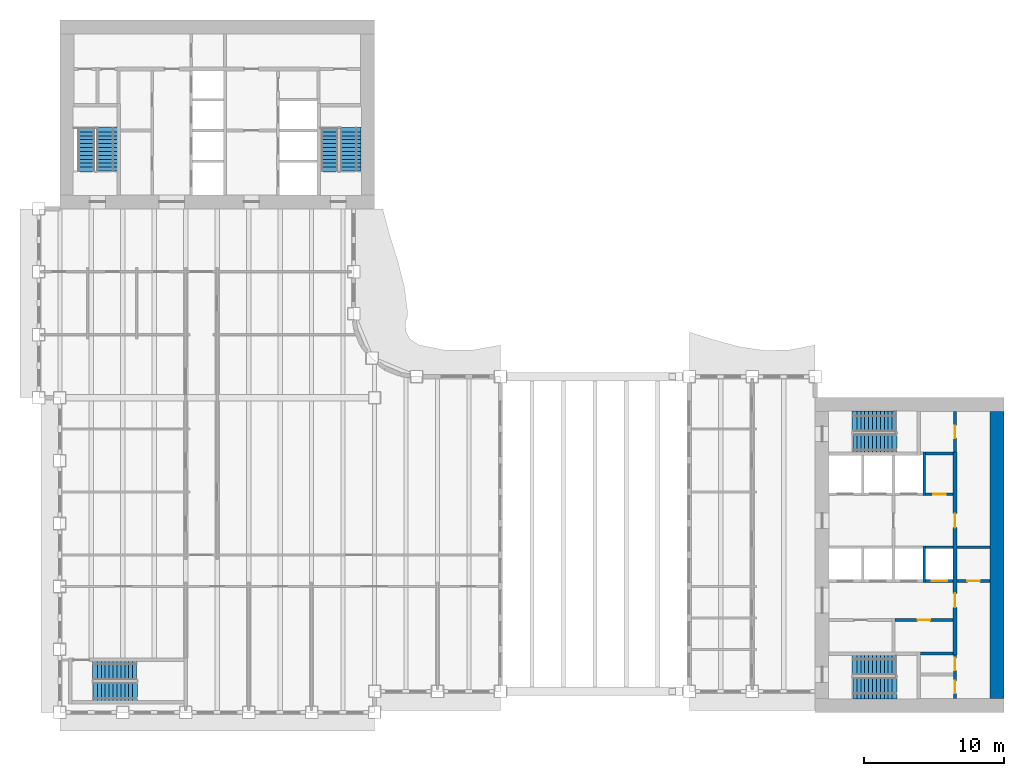
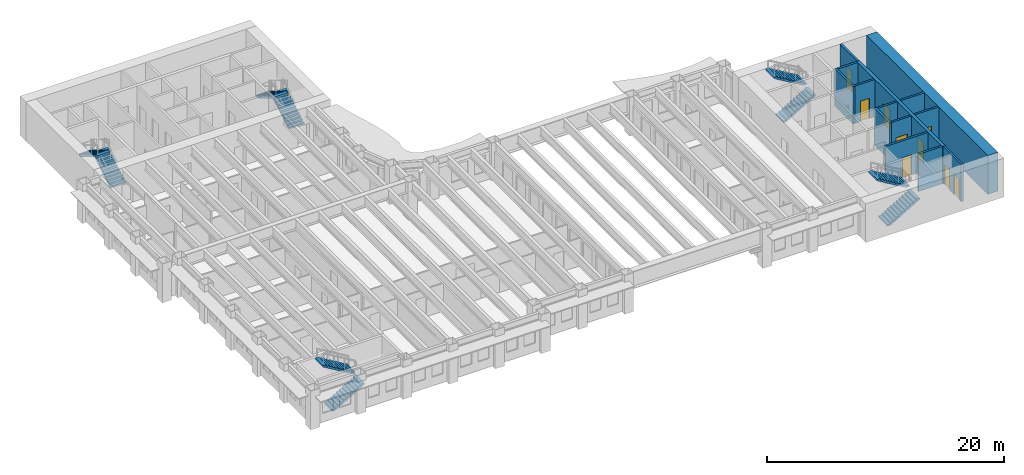
# One storey, part 9 of 13: 14 walls, 10 stair flights, 9 doors, 9 openings, 5 elements without a shape of their own.
"""IFC4 building model written with IfcOpenShell, lengths in metres."""

from ifc_helpers import new_model, si_unit, direction, frame, frame_2d, origin, place, context, subcontext, project, spatial, polyline, rectangle, outline, extrude, material, layer, layer_set, type_object, element, fill, aggregate, save


model = new_model("IFC4")

# Units and contexts
model_context = context("Model", 3, precision=1e-05, world=origin(), true_north=direction((0.0, 1.0)))
body_context = subcontext(model_context, "Body", "Model", "MODEL_VIEW")
ifc_project = project(units=[si_unit("LENGTHUNIT", "METRE"), si_unit("AREAUNIT", "SQUARE_METRE"), si_unit("VOLUMEUNIT", "CUBIC_METRE"), si_unit("PLANEANGLEUNIT", "RADIAN"), si_unit("MASSUNIT", "GRAM", prefix="KILO")], contexts=[model_context])

# Site, building, storey
site_placement = place(None, origin())
site = spatial("IfcSite", under=ifc_project, at=site_placement, CompositionType="ELEMENT")
building_placement = place(site_placement, origin())
building = spatial("IfcBuilding", under=site, at=building_placement, Name="Sennacour Bend Tower", CompositionType="ELEMENT")
storey_placement = place(building_placement, frame((0.0, 0.0, 147.0)))
storey = spatial("IfcBuildingStorey", under=building, at=storey_placement, Name="L33", CompositionType="ELEMENT", Elevation=147.0)

# Wall
ifc_material_1 = material(Name="Concrete C60/75", Category="concrete")
ifc_layer_1 = layer(ifc_material_1, 1.0, Name="Concrete C60/75", Category="concrete")
ifc_layer_set_1 = layer_set([ifc_layer_1], Name="Concrete C60/75")
wall_type_1 = type_object("IfcWallType", Name="Core wall 1000 C60/75", PredefinedType="SHEAR", material=ifc_layer_set_1)
wall_1_placement = place(storey_placement, frame((67.0, 1.0, -0.14990234375), z_axis=(0.0, 0.0, 1.0), x_axis=(0.0, 1.0, 0.0)))
element("IfcWall", 1, at=wall_1_placement, inside=storey, type_object=wall_type_1, Name="Core A wall L33 E", PredefinedType="SHEAR", context=body_context, shape_type="SweptSolid", body=[
    extrude(rectangle(XDim=20.5, YDim=1.0, at=frame_2d((10.25, 0.0))), origin(), (0.0, 0.0, 1.0), 4.0),
])

# Wall, openings, doors
ifc_material_2 = material(Name="Fire-rated plasterboard partition on steel studs", Category="steel")
ifc_layer_2 = layer(ifc_material_2, 0.199951171875, Name="Fire-rated plasterboard partition on steel studs", Category="steel")
ifc_layer_set_2 = layer_set([ifc_layer_2], Name="Fire-rated plasterboard partition on steel studs")
wall_type_2 = type_object("IfcWallType", Name="Rated partition 200", PredefinedType="PARTITIONING", material=ifc_layer_set_2)
wall_2_placement = place(storey_placement, frame((64.0, 1.0, 0.0), z_axis=(0.0, 0.0, 1.0), x_axis=(0.0, 1.0, 0.0)))
wall_2 = element("IfcWall", 2, at=wall_2_placement, inside=storey, type_object=wall_type_2, Name="P-L33-W042", PredefinedType="PARTITIONING", context=body_context, shape_type="SweptSolid", body=[
    extrude(rectangle(XDim=3.10009765625, YDim=0.199951171875, at=frame_2d((1.550048828125, 0.0))), origin(), (0.0, 0.0, 1.0), 3.85009765625),
])
opening_1_placement = place(wall_2_placement, frame((0.35009765625, 0.0, 0.0)))
opening_1 = element("IfcOpeningElement", 3, at=opening_1_placement, cuts=wall_2, Name="Opening SV", PredefinedType="OPENING", context=body_context, shape_type="SweptSolid", body=[
    extrude(rectangle(XDim=0.89990234375, YDim=2.10009765625, at=frame_2d((0.449951171875, 1.050048828125))), frame((0.0, 0.10986328125, 0.0), z_axis=(0.0, -1.0, 0.0), x_axis=(1.0, 0.0, 0.0)), (0.0, 0.0, 1.0), 0.219970703125),
])
opening_2_placement = place(wall_2_placement, frame((2.0, 0.0, 0.0)))
opening_2 = element("IfcOpeningElement", 4, at=opening_2_placement, cuts=wall_2, Name="Opening SV", PredefinedType="OPENING", context=body_context, shape_type="SweptSolid", body=[
    extrude(rectangle(XDim=0.89990234375, YDim=2.10009765625, at=frame_2d((0.449951171875, 1.050048828125))), frame((0.0, 0.10986328125, 0.0), z_axis=(0.0, -1.0, 0.0), x_axis=(1.0, 0.0, 0.0)), (0.0, 0.0, 1.0), 0.219970703125),
])
ifc_material_3 = material(Name="Painted steel", Category="steel")
door_type_1 = type_object("IfcDoorType", Name="DR-SERVICE-900", OperationType="NOTDEFINED", PredefinedType="DOOR", material=ifc_material_3)
door_1_placement = place(opening_1_placement, origin())
door_1 = element("IfcDoor", 5, at=door_1_placement, inside=storey, type_object=door_type_1, Name="Door", OperationType="SINGLE_SWING_LEFT", OverallHeight=2.10009765625, OverallWidth=0.89990234375, PredefinedType="DOOR", context=body_context, shape_type="SweptSolid", body=[
    extrude(rectangle(XDim=0.89990234375, YDim=2.10009765625, at=frame_2d((0.449951171875, 1.050048828125))), frame((0.0, 0.02490234375, 0.0), z_axis=(0.0, -1.0, 0.0), x_axis=(1.0, 0.0, 0.0)), (0.0, 0.0, 1.0), 0.050048828125),
])
fill(opening_1, door_1)
door_2_placement = place(opening_2_placement, origin())
door_2 = element("IfcDoor", 6, at=door_2_placement, inside=storey, type_object=door_type_1, Name="Door", OperationType="SINGLE_SWING_RIGHT", OverallHeight=2.10009765625, OverallWidth=0.89990234375, PredefinedType="DOOR", context=body_context, shape_type="SweptSolid", body=[
    extrude(rectangle(XDim=0.89990234375, YDim=2.10009765625, at=frame_2d((0.449951171875, 1.050048828125))), frame((0.0, 0.02490234375, 0.0), z_axis=(0.0, -1.0, 0.0), x_axis=(1.0, 0.0, 0.0)), (0.0, 0.0, 1.0), 0.050048828125),
])
fill(opening_2, door_2)

# Wall, opening, door
wall_3_placement = place(storey_placement, frame((64.0, 18.60009765625, 0.0), z_axis=(0.0, 0.0, 1.0), x_axis=(0.0, 1.0, 0.0)))
wall_3 = element("IfcWall", 7, at=wall_3_placement, inside=storey, type_object=wall_type_2, Name="P-L33-W044", PredefinedType="PARTITIONING", context=body_context, shape_type="SweptSolid", body=[
    extrude(rectangle(XDim=2.89990234375, YDim=0.199951171875, at=frame_2d((1.449951171875, 0.0))), origin(), (0.0, 0.0, 1.0), 3.85009765625),
])
opening_3_placement = place(wall_3_placement, frame((1.0, 0.0, 0.0)))
opening_3 = element("IfcOpeningElement", 8, at=opening_3_placement, cuts=wall_3, Name="Opening WD", PredefinedType="OPENING", context=body_context, shape_type="SweptSolid", body=[
    extrude(rectangle(XDim=0.89990234375, YDim=2.10009765625, at=frame_2d((0.449951171875, 1.050048828125))), frame((0.0, 0.10986328125, 0.0), z_axis=(0.0, -1.0, 0.0), x_axis=(1.0, 0.0, 0.0)), (0.0, 0.0, 1.0), 0.219970703125),
])
ifc_material_4 = material(Name="Timber", Category="wood")
door_type_2 = type_object("IfcDoorType", Name="DR-WC-900", OperationType="NOTDEFINED", PredefinedType="DOOR", material=ifc_material_4)
door_3_placement = place(opening_3_placement, origin())
door_3 = element("IfcDoor", 9, at=door_3_placement, inside=storey, type_object=door_type_2, Name="Door", OperationType="SINGLE_SWING_LEFT", OverallHeight=2.10009765625, OverallWidth=0.89990234375, PredefinedType="DOOR", context=body_context, shape_type="SweptSolid", body=[
    extrude(rectangle(XDim=0.89990234375, YDim=2.10009765625, at=frame_2d((0.449951171875, 1.050048828125))), frame((0.0, 0.02490234375, 0.0), z_axis=(0.0, -1.0, 0.0), x_axis=(1.0, 0.0, 0.0)), (0.0, 0.0, 1.0), 0.050048828125),
])
fill(opening_3, door_3)

# Wall
wall_4_placement = place(storey_placement, frame((61.52490234375, 4.199951171875, 0.0), z_axis=(0.0, 0.0, 1.0), x_axis=(1.0, 0.0, 0.0)))
element("IfcWall", 10, at=wall_4_placement, inside=storey, type_object=wall_type_2, Name="P-L33-W052", PredefinedType="PARTITIONING", context=body_context, shape_type="SweptSolid", body=[
    extrude(rectangle(XDim=2.3251953125, YDim=0.199951171875, at=frame_2d((1.16259765625, 0.0))), origin(), (0.0, 0.0, 1.0), 3.85009765625),
])

# Wall, opening, door
wall_5_placement = place(storey_placement, frame((59.699951171875, 6.60009765625, 0.0), z_axis=(0.0, 0.0, 1.0), x_axis=(1.0, 0.0, 0.0)))
wall_5 = element("IfcWall", 11, at=wall_5_placement, inside=storey, type_object=wall_type_2, Name="P-L33-W054b", PredefinedType="PARTITIONING", context=body_context, shape_type="SweptSolid", body=[
    extrude(rectangle(XDim=4.150146484375, YDim=0.199951171875, at=frame_2d((2.0751953125, 0.0))), origin(), (0.0, 0.0, 1.0), 3.85009765625),
])
opening_4_placement = place(wall_5_placement, frame((1.625, 0.0, 0.0)))
opening_4 = element("IfcOpeningElement", 12, at=opening_4_placement, cuts=wall_5, Name="Opening SV", PredefinedType="OPENING", context=body_context, shape_type="SweptSolid", body=[
    extrude(rectangle(XDim=0.89990234375, YDim=2.10009765625, at=frame_2d((0.449951171875, 1.050048828125))), frame((0.0, 0.10986328125, 0.0), z_axis=(0.0, -1.0, 0.0), x_axis=(1.0, 0.0, 0.0)), (0.0, 0.0, 1.0), 0.219970703125),
])
door_4_placement = place(opening_4_placement, origin())
door_4 = element("IfcDoor", 13, at=door_4_placement, inside=storey, type_object=door_type_1, Name="Door", OperationType="SINGLE_SWING_LEFT", OverallHeight=2.10009765625, OverallWidth=0.89990234375, PredefinedType="DOOR", context=body_context, shape_type="SweptSolid", body=[
    extrude(rectangle(XDim=0.89990234375, YDim=2.10009765625, at=frame_2d((0.449951171875, 1.050048828125))), frame((0.0, 0.02490234375, 0.0), z_axis=(0.0, -1.0, 0.0), x_axis=(1.0, 0.0, 0.0)), (0.0, 0.0, 1.0), 0.050048828125),
])
fill(opening_4, door_4)

wall_6_placement = place(storey_placement, frame((64.14990234375, 9.39990234375, 0.0), z_axis=(0.0, 0.0, 1.0), x_axis=(1.0, 0.0, 0.0)))
wall_6 = element("IfcWall", 14, at=wall_6_placement, inside=storey, type_object=wall_type_2, Name="P-L33-W059", PredefinedType="PARTITIONING", context=body_context, shape_type="SweptSolid", body=[
    extrude(rectangle(XDim=2.35009765625, YDim=0.199951171875, at=frame_2d((1.175048828125, 0.0))), origin(), (0.0, 0.0, 1.0), 3.85009765625),
])
opening_5_placement = place(wall_6_placement, frame((0.72509765625, 0.0, 0.0)))
opening_5 = element("IfcOpeningElement", 15, at=opening_5_placement, cuts=wall_6, Name="Opening SV", PredefinedType="OPENING", context=body_context, shape_type="SweptSolid", body=[
    extrude(rectangle(XDim=0.89990234375, YDim=2.10009765625, at=frame_2d((0.449951171875, 1.050048828125))), frame((0.0, 0.10986328125, 0.0), z_axis=(0.0, -1.0, 0.0), x_axis=(1.0, 0.0, 0.0)), (0.0, 0.0, 1.0), 0.219970703125),
])
door_5_placement = place(opening_5_placement, origin())
door_5 = element("IfcDoor", 16, at=door_5_placement, inside=storey, type_object=door_type_1, Name="Door", OperationType="SINGLE_SWING_LEFT", OverallHeight=2.10009765625, OverallWidth=0.89990234375, PredefinedType="DOOR", context=body_context, shape_type="SweptSolid", body=[
    extrude(rectangle(XDim=0.89990234375, YDim=2.10009765625, at=frame_2d((0.449951171875, 1.050048828125))), frame((0.0, 0.02490234375, 0.0), z_axis=(0.0, -1.0, 0.0), x_axis=(1.0, 0.0, 0.0)), (0.0, 0.0, 1.0), 0.050048828125),
])
fill(opening_5, door_5)

# Wall
wall_7_placement = place(storey_placement, frame((64.14990234375, 11.800048828125, 0.0), z_axis=(0.0, 0.0, 1.0), x_axis=(1.0, 0.0, 0.0)))
element("IfcWall", 17, at=wall_7_placement, inside=storey, type_object=wall_type_2, Name="P-L33-W062", PredefinedType="PARTITIONING", context=body_context, shape_type="SweptSolid", body=[
    extrude(rectangle(XDim=2.35009765625, YDim=0.199951171875, at=frame_2d((1.175048828125, 0.0))), origin(), (0.0, 0.0, 1.0), 3.85009765625),
])

# Wall, opening, door
wall_8_placement = place(storey_placement, frame((61.89990234375, 15.60009765625, 0.0), z_axis=(0.0, 0.0, 1.0), x_axis=(1.0, 0.0, 0.0)))
wall_8 = element("IfcWall", 18, at=wall_8_placement, inside=storey, type_object=wall_type_2, Name="P-L33-W064", PredefinedType="PARTITIONING", context=body_context, shape_type="SweptSolid", body=[
    extrude(rectangle(XDim=1.9501953125, YDim=0.199951171875, at=frame_2d((0.97509765625, 0.0))), origin(), (0.0, 0.0, 1.0), 3.85009765625),
])
opening_6_placement = place(wall_8_placement, frame((0.525146484375, 0.0, 0.0)))
opening_6 = element("IfcOpeningElement", 19, at=opening_6_placement, cuts=wall_8, Name="Opening SV", PredefinedType="OPENING", context=body_context, shape_type="SweptSolid", body=[
    extrude(rectangle(XDim=0.89990234375, YDim=2.10009765625, at=frame_2d((0.449951171875, 1.050048828125))), frame((0.0, 0.10986328125, 0.0), z_axis=(0.0, -1.0, 0.0), x_axis=(1.0, 0.0, 0.0)), (0.0, 0.0, 1.0), 0.219970703125),
])
door_6_placement = place(opening_6_placement, origin())
door_6 = element("IfcDoor", 20, at=door_6_placement, inside=storey, type_object=door_type_1, Name="Door", OperationType="SINGLE_SWING_LEFT", OverallHeight=2.10009765625, OverallWidth=0.89990234375, PredefinedType="DOOR", context=body_context, shape_type="SweptSolid", body=[
    extrude(rectangle(XDim=0.89990234375, YDim=2.10009765625, at=frame_2d((0.449951171875, 1.050048828125))), frame((0.0, 0.02490234375, 0.0), z_axis=(0.0, -1.0, 0.0), x_axis=(1.0, 0.0, 0.0)), (0.0, 0.0, 1.0), 0.050048828125),
])
fill(opening_6, door_6)

# Walls
wall_9_placement = place(storey_placement, frame((61.89990234375, 18.5, 0.0), z_axis=(0.0, 0.0, 1.0), x_axis=(1.0, 0.0, 0.0)))
element("IfcWall", 21, at=wall_9_placement, inside=storey, type_object=wall_type_2, Name="P-L33-W069", PredefinedType="PARTITIONING", context=body_context, shape_type="SweptSolid", body=[
    extrude(rectangle(XDim=1.9501953125, YDim=0.199951171875, at=frame_2d((0.97509765625, 0.0))), origin(), (0.0, 0.0, 1.0), 3.85009765625),
])
ifc_material_5 = material(Name="Concrete C50/60", Category="concrete")
ifc_layer_3 = layer(ifc_material_5, 0.199951171875, Name="Concrete C50/60", Category="concrete")
ifc_layer_set_3 = layer_set([ifc_layer_3], Name="Concrete C50/60")
wall_type_3 = type_object("IfcWallType", Name="Shaft wall 200", PredefinedType="SOLIDWALL", material=ifc_layer_set_3)
wall_10_placement = place(storey_placement, frame((61.800048828125, 9.300048828125, 0.0), z_axis=(0.0, 0.0, 1.0), x_axis=(0.0, 1.0, 0.0)))
element("IfcWall", 22, at=wall_10_placement, inside=storey, type_object=wall_type_3, Name="P-L33-W040", PredefinedType="SOLIDWALL", context=body_context, shape_type="SweptSolid", body=[
    extrude(rectangle(XDim=2.599853515625, YDim=0.199951171875, at=frame_2d((1.2998046875, 0.0))), origin(), (0.0, 0.0, 1.0), 3.85009765625),
])
wall_11_placement = place(storey_placement, frame((61.800048828125, 15.5, 0.0), z_axis=(0.0, 0.0, 1.0), x_axis=(0.0, 1.0, 0.0)))
element("IfcWall", 23, at=wall_11_placement, inside=storey, type_object=wall_type_3, Name="P-L33-W041", PredefinedType="SOLIDWALL", context=body_context, shape_type="SweptSolid", body=[
    extrude(rectangle(XDim=3.10009765625, YDim=0.199951171875, at=frame_2d((1.550048828125, 0.0))), origin(), (0.0, 0.0, 1.0), 3.85009765625),
])

# Wall, opening, door
wall_12_placement = place(storey_placement, frame((61.89990234375, 9.39990234375, 0.0), z_axis=(0.0, 0.0, 1.0), x_axis=(1.0, 0.0, 0.0)))
wall_12 = element("IfcWall", 24, at=wall_12_placement, inside=storey, type_object=wall_type_3, Name="P-L33-W058d", PredefinedType="SOLIDWALL", context=body_context, shape_type="SweptSolid", body=[
    extrude(rectangle(XDim=1.9501953125, YDim=0.199951171875, at=frame_2d((0.97509765625, 0.0))), origin(), (0.0, 0.0, 1.0), 3.85009765625),
])
opening_7_placement = place(wall_12_placement, frame((0.425048828125, 0.0, 0.011962890625)))
opening_7 = element("IfcOpeningElement", 25, at=opening_7_placement, cuts=wall_12, Name="Opening LD", PredefinedType="OPENING", context=body_context, shape_type="SweptSolid", body=[
    extrude(rectangle(XDim=1.10009765625, YDim=2.10009765625, at=frame_2d((0.550048828125, 1.050048828125))), frame((0.0, 0.10986328125, 0.0), z_axis=(0.0, -1.0, 0.0), x_axis=(1.0, 0.0, 0.0)), (0.0, 0.0, 1.0), 0.219970703125),
])
ifc_material_6 = material(Name="Stainless steel", Category="steel")
door_type_3 = type_object("IfcDoorType", Name="DR-LANDING-1100", OperationType="NOTDEFINED", PredefinedType="DOOR", material=ifc_material_6)
door_7_placement = place(opening_7_placement, origin())
door_7 = element("IfcDoor", 26, at=door_7_placement, inside=storey, type_object=door_type_3, Name="Lift landing door HA4", OperationType="SLIDING_TO_RIGHT", OverallHeight=2.10009765625, OverallWidth=1.10009765625, PredefinedType="DOOR", context=body_context, shape_type="SweptSolid", body=[
    extrude(rectangle(XDim=1.10009765625, YDim=2.10009765625, at=frame_2d((0.550048828125, 1.050048828125))), frame((0.0, 0.02490234375, 0.0), z_axis=(0.0, -1.0, 0.0), x_axis=(1.0, 0.0, 0.0)), (0.0, 0.0, 1.0), 0.050048828125),
])
fill(opening_7, door_7)

# Wall
wall_13_placement = place(storey_placement, frame((61.89990234375, 11.800048828125, 0.0), z_axis=(0.0, 0.0, 1.0), x_axis=(1.0, 0.0, 0.0)))
element("IfcWall", 27, at=wall_13_placement, inside=storey, type_object=wall_type_3, Name="P-L33-W061d", PredefinedType="SOLIDWALL", context=body_context, shape_type="SweptSolid", body=[
    extrude(rectangle(XDim=1.9501953125, YDim=0.199951171875, at=frame_2d((0.97509765625, 0.0))), origin(), (0.0, 0.0, 1.0), 3.85009765625),
])

# Wall, openings, doors
ifc_layer_4 = layer(ifc_material_1, 0.300048828125, Name="Concrete C60/75", Category="concrete")
ifc_layer_set_4 = layer_set([ifc_layer_4], Name="Concrete C60/75")
wall_type_4 = type_object("IfcWallType", Name="Spine wall 300", PredefinedType="SHEAR", material=ifc_layer_set_4)
wall_14_placement = place(storey_placement, frame((64.0, 4.10009765625, 0.0), z_axis=(0.0, 0.0, 1.0), x_axis=(0.0, 1.0, 0.0)))
wall_14 = element("IfcWall", 28, at=wall_14_placement, inside=storey, type_object=wall_type_4, Name="P-L33-W043", PredefinedType="SHEAR", context=body_context, shape_type="SweptSolid", body=[
    extrude(rectangle(XDim=14.5, YDim=0.300048828125, at=frame_2d((7.25, 0.0))), origin(), (0.0, 0.0, 1.0), 3.85009765625),
])
opening_8_placement = place(wall_14_placement, frame((3.39990234375, 0.0, 0.0)))
opening_8 = element("IfcOpeningElement", 29, at=opening_8_placement, cuts=wall_14, Name="Opening CD2", PredefinedType="OPENING", context=body_context, shape_type="SweptSolid", body=[
    extrude(rectangle(XDim=1.0, YDim=2.10009765625, at=frame_2d((0.5, 1.050048828125))), frame((0.0, 0.16015625, 0.0), z_axis=(0.0, -1.0, 0.0), x_axis=(1.0, 0.0, 0.0)), (0.0, 0.0, 1.0), 0.320068359375),
])
opening_9_placement = place(wall_14_placement, frame((9.099853515625, 0.0, 0.0)))
opening_9 = element("IfcOpeningElement", 30, at=opening_9_placement, cuts=wall_14, Name="Opening CD2", PredefinedType="OPENING", context=body_context, shape_type="SweptSolid", body=[
    extrude(rectangle(XDim=1.0, YDim=2.10009765625, at=frame_2d((0.5, 1.050048828125))), frame((0.0, 0.16015625, 0.0), z_axis=(0.0, -1.0, 0.0), x_axis=(1.0, 0.0, 0.0)), (0.0, 0.0, 1.0), 0.320068359375),
])
door_type_4 = type_object("IfcDoorType", Name="DR-LOBBY-1000", OperationType="NOTDEFINED", PredefinedType="DOOR", material=ifc_material_3)
door_8_placement = place(opening_8_placement, origin())
door_8 = element("IfcDoor", 31, at=door_8_placement, inside=storey, type_object=door_type_4, Name="Door", OperationType="SINGLE_SWING_LEFT", OverallHeight=2.10009765625, OverallWidth=1.0, PredefinedType="DOOR", context=body_context, shape_type="SweptSolid", body=[
    extrude(rectangle(XDim=1.0, YDim=2.10009765625, at=frame_2d((0.5, 1.050048828125))), frame((0.0, 0.02490234375, 0.0), z_axis=(0.0, -1.0, 0.0), x_axis=(1.0, 0.0, 0.0)), (0.0, 0.0, 1.0), 0.050048828125),
])
fill(opening_8, door_8)
door_9_placement = place(opening_9_placement, origin())
door_9 = element("IfcDoor", 32, at=door_9_placement, inside=storey, type_object=door_type_4, Name="Door", OperationType="SINGLE_SWING_RIGHT", OverallHeight=2.10009765625, OverallWidth=1.0, PredefinedType="DOOR", context=body_context, shape_type="SweptSolid", body=[
    extrude(rectangle(XDim=1.0, YDim=2.10009765625, at=frame_2d((0.5, 1.050048828125))), frame((0.0, 0.02490234375, 0.0), z_axis=(0.0, -1.0, 0.0), x_axis=(1.0, 0.0, 0.0)), (0.0, 0.0, 1.0), 0.050048828125),
])
fill(opening_9, door_9)

# Stair, stair flights
ifc_material_7 = material(Name="Concrete C40/50", Category="concrete")
stair_type = type_object("IfcStairType", Name="ST-DOGLEG", PredefinedType="HALF_TURN_STAIR", material=ifc_material_7)
stair_1_placement = place(storey_placement, origin())
stair_1 = element("IfcStair", 33, at=stair_1_placement, inside=storey, type_object=stair_type, Name="L33 Exit stair A1", PredefinedType="HALF_TURN_STAIR")
stair_flight_type = type_object("IfcStairFlightType", Name="SFL-RC", PredefinedType="STRAIGHT", material=ifc_material_7)
stair_flight_1_placement = place(storey_placement, frame((56.699951171875, 1.735107421875, 0.0), z_axis=(0.0, 0.0, 1.0), x_axis=(1.0, 0.0, 0.0)))
stair_flight_1 = element("IfcStairFlight", 34, at=stair_flight_1_placement, type_object=stair_flight_type, Name="SA1 flight 1", NumberOfRisers=12, NumberOfTreads=11, PredefinedType="STRAIGHT", RiserHeight=0.166666667, TreadLength=0.28, context=body_context, shape_type="SweptSolid", body=[
    extrude(outline(polyline([(0.0, 0.0), (0.0, 0.166748046875), (0.280029296875, 0.166748046875), (0.280029296875, 0.333251953125), (0.56005859375, 0.333251953125), (0.56005859375, 0.5), (0.840087890625, 0.5), (0.840087890625, 0.666748046875), (1.1201171875, 0.666748046875), (1.1201171875, 0.833251953125), (1.39990234375, 0.833251953125), (1.39990234375, 1.0), (1.679931640625, 1.0), (1.679931640625, 1.166748046875), (1.9599609375, 1.166748046875), (1.9599609375, 1.333251953125), (2.239990234375, 1.333251953125), (2.239990234375, 1.5), (2.52001953125, 1.5), (2.52001953125, 1.666748046875), (2.800048828125, 1.666748046875), (2.800048828125, 1.833251953125), (3.080078125, 1.833251953125), (3.139892578125, 1.833251953125), (3.139892578125, 1.658935546875), (3.080078125, 1.658935546875), (0.29296875, 0.0), (0.0, 0.0)])), frame((0.0, 0.76513671875, 0.0), z_axis=(0.0, -1.0, 0.0), x_axis=(1.0, 0.0, 0.0)), (0.0, 0.0, 1.0), 1.530029296875),
])
stair_flight_2_placement = place(storey_placement, frame((59.780029296875, 3.37744140625, 2.0), z_axis=(0.0, 0.0, 1.0), x_axis=(-1.0, 0.0, 0.0)))
stair_flight_2 = element("IfcStairFlight", 35, at=stair_flight_2_placement, type_object=stair_flight_type, Name="SA1 flight 2", NumberOfRisers=12, NumberOfTreads=11, PredefinedType="STRAIGHT", RiserHeight=0.166666667, TreadLength=0.28, context=body_context, shape_type="SweptSolid", body=[
    extrude(outline(polyline([(0.0, 0.0), (0.0, 0.166748046875), (0.280029296875, 0.166748046875), (0.280029296875, 0.333251953125), (0.56005859375, 0.333251953125), (0.56005859375, 0.5), (0.840087890625, 0.5), (0.840087890625, 0.666748046875), (1.1201171875, 0.666748046875), (1.1201171875, 0.833251953125), (1.39990234375, 0.833251953125), (1.39990234375, 1.0), (1.679931640625, 1.0), (1.679931640625, 1.166748046875), (1.9599609375, 1.166748046875), (1.9599609375, 1.333251953125), (2.239990234375, 1.333251953125), (2.239990234375, 1.5), (2.52001953125, 1.5), (2.52001953125, 1.666748046875), (2.800048828125, 1.666748046875), (2.800048828125, 1.833251953125), (3.080078125, 1.833251953125), (3.139892578125, 1.833251953125), (3.139892578125, 1.658935546875), (3.080078125, 1.658935546875), (0.29296875, 0.0), (0.0, 0.0)])), frame((0.0, 0.7275390625, 0.0), z_axis=(0.0, -1.0, 0.0), x_axis=(1.0, 0.0, 0.0)), (0.0, 0.0, 1.0), 1.455078125),
])
aggregate(stair_1, [stair_flight_1, stair_flight_2])

stair_2_placement = place(storey_placement, origin())
stair_2 = element("IfcStair", 36, at=stair_2_placement, inside=storey, type_object=stair_type, Name="L33 Exit stair A2", PredefinedType="HALF_TURN_STAIR")
stair_flight_3_placement = place(storey_placement, frame((56.699951171875, 19.24755859375, 0.0), z_axis=(0.0, 0.0, 1.0), x_axis=(1.0, 0.0, 0.0)))
stair_flight_3 = element("IfcStairFlight", 37, at=stair_flight_3_placement, type_object=stair_flight_type, Name="SA2 flight 1", NumberOfRisers=12, NumberOfTreads=11, PredefinedType="STRAIGHT", RiserHeight=0.166666667, TreadLength=0.28, context=body_context, shape_type="SweptSolid", body=[
    extrude(outline(polyline([(0.0, 0.0), (0.0, 0.166748046875), (0.280029296875, 0.166748046875), (0.280029296875, 0.333251953125), (0.56005859375, 0.333251953125), (0.56005859375, 0.5), (0.840087890625, 0.5), (0.840087890625, 0.666748046875), (1.1201171875, 0.666748046875), (1.1201171875, 0.833251953125), (1.39990234375, 0.833251953125), (1.39990234375, 1.0), (1.679931640625, 1.0), (1.679931640625, 1.166748046875), (1.9599609375, 1.166748046875), (1.9599609375, 1.333251953125), (2.239990234375, 1.333251953125), (2.239990234375, 1.5), (2.52001953125, 1.5), (2.52001953125, 1.666748046875), (2.800048828125, 1.666748046875), (2.800048828125, 1.833251953125), (3.080078125, 1.833251953125), (3.139892578125, 1.833251953125), (3.139892578125, 1.658935546875), (3.080078125, 1.658935546875), (0.29296875, 0.0), (0.0, 0.0)])), frame((0.0, 0.65234375, 0.0), z_axis=(0.0, -1.0, 0.0), x_axis=(1.0, 0.0, 0.0)), (0.0, 0.0, 1.0), 1.304931640625),
])
stair_flight_4_placement = place(storey_placement, frame((59.780029296875, 20.7900390625, 2.0), z_axis=(0.0, 0.0, 1.0), x_axis=(-1.0, 0.0, 0.0)))
stair_flight_4 = element("IfcStairFlight", 38, at=stair_flight_4_placement, type_object=stair_flight_type, Name="SA2 flight 2", NumberOfRisers=12, NumberOfTreads=11, PredefinedType="STRAIGHT", RiserHeight=0.166666667, TreadLength=0.28, context=body_context, shape_type="SweptSolid", body=[
    extrude(outline(polyline([(0.0, 0.0), (0.0, 0.166748046875), (0.280029296875, 0.166748046875), (0.280029296875, 0.333251953125), (0.56005859375, 0.333251953125), (0.56005859375, 0.5), (0.840087890625, 0.5), (0.840087890625, 0.666748046875), (1.1201171875, 0.666748046875), (1.1201171875, 0.833251953125), (1.39990234375, 0.833251953125), (1.39990234375, 1.0), (1.679931640625, 1.0), (1.679931640625, 1.166748046875), (1.9599609375, 1.166748046875), (1.9599609375, 1.333251953125), (2.239990234375, 1.333251953125), (2.239990234375, 1.5), (2.52001953125, 1.5), (2.52001953125, 1.666748046875), (2.800048828125, 1.666748046875), (2.800048828125, 1.833251953125), (3.080078125, 1.833251953125), (3.139892578125, 1.833251953125), (3.139892578125, 1.658935546875), (3.080078125, 1.658935546875), (0.29296875, 0.0), (0.0, 0.0)])), frame((0.0, 0.739990234375, 0.0), z_axis=(0.0, -1.0, 0.0), x_axis=(1.0, 0.0, 0.0)), (0.0, 0.0, 1.0), 1.47998046875),
])
aggregate(stair_2, [stair_flight_3, stair_flight_4])

stair_3_placement = place(storey_placement, origin())
stair_3 = element("IfcStair", 39, at=stair_3_placement, inside=storey, type_object=stair_type, Name="L33 Exit stair B1", PredefinedType="HALF_TURN_STAIR")
stair_flight_5_placement = place(storey_placement, frame((3.37744140625, 38.699951171875, 0.0), z_axis=(0.0, 0.0, 1.0), x_axis=(0.0, 1.0, 0.0)))
stair_flight_5 = element("IfcStairFlight", 40, at=stair_flight_5_placement, type_object=stair_flight_type, Name="SB1 flight 1", NumberOfRisers=12, NumberOfTreads=11, PredefinedType="STRAIGHT", RiserHeight=0.166666667, TreadLength=0.28, context=body_context, shape_type="SweptSolid", body=[
    extrude(outline(polyline([(0.0, 0.0), (0.0, 0.166748046875), (0.280029296875, 0.166748046875), (0.280029296875, 0.333251953125), (0.56005859375, 0.333251953125), (0.56005859375, 0.5), (0.840087890625, 0.5), (0.840087890625, 0.666748046875), (1.1201171875, 0.666748046875), (1.1201171875, 0.833251953125), (1.39990234375, 0.833251953125), (1.39990234375, 1.0), (1.679931640625, 1.0), (1.679931640625, 1.166748046875), (1.9599609375, 1.166748046875), (1.9599609375, 1.333251953125), (2.239990234375, 1.333251953125), (2.239990234375, 1.5), (2.52001953125, 1.5), (2.52001953125, 1.666748046875), (2.800048828125, 1.666748046875), (2.800048828125, 1.833251953125), (3.080078125, 1.833251953125), (3.139892578125, 1.833251953125), (3.139892578125, 1.658935546875), (3.080078125, 1.658935546875), (0.29296875, 0.0), (0.0, 0.0)])), frame((0.0, 0.7275390625, 0.0), z_axis=(0.0, -1.0, 0.0), x_axis=(1.0, 0.0, 0.0)), (0.0, 0.0, 1.0), 1.455078125),
])
stair_flight_6_placement = place(storey_placement, frame((1.89990234375, 41.780029296875, 2.0), z_axis=(0.0, 0.0, 1.0), x_axis=(0.0, -1.0, 0.0)))
stair_flight_6 = element("IfcStairFlight", 41, at=stair_flight_6_placement, type_object=stair_flight_type, Name="SB1 flight 2", NumberOfRisers=12, NumberOfTreads=11, PredefinedType="STRAIGHT", RiserHeight=0.166666667, TreadLength=0.28, context=body_context, shape_type="SweptSolid", body=[
    extrude(outline(polyline([(0.0, 0.0), (0.0, 0.166748046875), (0.280029296875, 0.166748046875), (0.280029296875, 0.333251953125), (0.56005859375, 0.333251953125), (0.56005859375, 0.5), (0.840087890625, 0.5), (0.840087890625, 0.666748046875), (1.1201171875, 0.666748046875), (1.1201171875, 0.833251953125), (1.39990234375, 0.833251953125), (1.39990234375, 1.0), (1.679931640625, 1.0), (1.679931640625, 1.166748046875), (1.9599609375, 1.166748046875), (1.9599609375, 1.333251953125), (2.239990234375, 1.333251953125), (2.239990234375, 1.5), (2.52001953125, 1.5), (2.52001953125, 1.666748046875), (2.800048828125, 1.666748046875), (2.800048828125, 1.833251953125), (3.080078125, 1.833251953125), (3.139892578125, 1.833251953125), (3.139892578125, 1.658935546875), (3.080078125, 1.658935546875), (0.29296875, 0.0), (0.0, 0.0)])), frame((0.0, 0.60009765625, 0.0), z_axis=(0.0, -1.0, 0.0), x_axis=(1.0, 0.0, 0.0)), (0.0, 0.0, 1.0), 1.199951171875),
])
aggregate(stair_3, [stair_flight_5, stair_flight_6])

stair_4_placement = place(storey_placement, origin())
stair_4 = element("IfcStair", 42, at=stair_4_placement, inside=storey, type_object=stair_type, Name="L33 Exit stair B2", PredefinedType="HALF_TURN_STAIR")
stair_flight_7_placement = place(storey_placement, frame((20.7900390625, 38.699951171875, 0.0), z_axis=(0.0, 0.0, 1.0), x_axis=(0.0, 1.0, 0.0)))
stair_flight_7 = element("IfcStairFlight", 43, at=stair_flight_7_placement, type_object=stair_flight_type, Name="SB2 flight 1", NumberOfRisers=12, NumberOfTreads=11, PredefinedType="STRAIGHT", RiserHeight=0.166666667, TreadLength=0.28, context=body_context, shape_type="SweptSolid", body=[
    extrude(outline(polyline([(0.0, 0.0), (0.0, 0.166748046875), (0.280029296875, 0.166748046875), (0.280029296875, 0.333251953125), (0.56005859375, 0.333251953125), (0.56005859375, 0.5), (0.840087890625, 0.5), (0.840087890625, 0.666748046875), (1.1201171875, 0.666748046875), (1.1201171875, 0.833251953125), (1.39990234375, 0.833251953125), (1.39990234375, 1.0), (1.679931640625, 1.0), (1.679931640625, 1.166748046875), (1.9599609375, 1.166748046875), (1.9599609375, 1.333251953125), (2.239990234375, 1.333251953125), (2.239990234375, 1.5), (2.52001953125, 1.5), (2.52001953125, 1.666748046875), (2.800048828125, 1.666748046875), (2.800048828125, 1.833251953125), (3.080078125, 1.833251953125), (3.139892578125, 1.833251953125), (3.139892578125, 1.658935546875), (3.080078125, 1.658935546875), (0.29296875, 0.0), (0.0, 0.0)])), frame((0.0, 0.739990234375, 0.0), z_axis=(0.0, -1.0, 0.0), x_axis=(1.0, 0.0, 0.0)), (0.0, 0.0, 1.0), 1.47998046875),
])
stair_flight_8_placement = place(storey_placement, frame((19.24755859375, 41.780029296875, 2.0), z_axis=(0.0, 0.0, 1.0), x_axis=(0.0, -1.0, 0.0)))
stair_flight_8 = element("IfcStairFlight", 44, at=stair_flight_8_placement, type_object=stair_flight_type, Name="SB2 flight 2", NumberOfRisers=12, NumberOfTreads=11, PredefinedType="STRAIGHT", RiserHeight=0.166666667, TreadLength=0.28, context=body_context, shape_type="SweptSolid", body=[
    extrude(outline(polyline([(0.0, 0.0), (0.0, 0.166748046875), (0.280029296875, 0.166748046875), (0.280029296875, 0.333251953125), (0.56005859375, 0.333251953125), (0.56005859375, 0.5), (0.840087890625, 0.5), (0.840087890625, 0.666748046875), (1.1201171875, 0.666748046875), (1.1201171875, 0.833251953125), (1.39990234375, 0.833251953125), (1.39990234375, 1.0), (1.679931640625, 1.0), (1.679931640625, 1.166748046875), (1.9599609375, 1.166748046875), (1.9599609375, 1.333251953125), (2.239990234375, 1.333251953125), (2.239990234375, 1.5), (2.52001953125, 1.5), (2.52001953125, 1.666748046875), (2.800048828125, 1.666748046875), (2.800048828125, 1.833251953125), (3.080078125, 1.833251953125), (3.139892578125, 1.833251953125), (3.139892578125, 1.658935546875), (3.080078125, 1.658935546875), (0.29296875, 0.0), (0.0, 0.0)])), frame((0.0, 0.65234375, 0.0), z_axis=(0.0, -1.0, 0.0), x_axis=(1.0, 0.0, 0.0)), (0.0, 0.0, 1.0), 1.304931640625),
])
aggregate(stair_4, [stair_flight_7, stair_flight_8])

stair_5_placement = place(storey_placement, origin())
stair_5 = element("IfcStair", 45, at=stair_5_placement, inside=storey, type_object=stair_type, Name="L33 Exit stair K1", PredefinedType="HALF_TURN_STAIR")
stair_flight_9_placement = place(storey_placement, frame((2.39990234375, 1.485107421875, 0.0), z_axis=(0.0, 0.0, 1.0), x_axis=(1.0, 0.0, 0.0)))
stair_flight_9 = element("IfcStairFlight", 46, at=stair_flight_9_placement, type_object=stair_flight_type, Name="SK1 flight 1", NumberOfRisers=12, NumberOfTreads=11, PredefinedType="STRAIGHT", RiserHeight=0.166666667, TreadLength=0.28, context=body_context, shape_type="SweptSolid", body=[
    extrude(outline(polyline([(0.0, 0.0), (0.0, 0.166748046875), (0.280029296875, 0.166748046875), (0.280029296875, 0.333251953125), (0.56005859375, 0.333251953125), (0.56005859375, 0.5), (0.840087890625, 0.5), (0.840087890625, 0.666748046875), (1.1201171875, 0.666748046875), (1.1201171875, 0.833251953125), (1.39990234375, 0.833251953125), (1.39990234375, 1.0), (1.679931640625, 1.0), (1.679931640625, 1.166748046875), (1.9599609375, 1.166748046875), (1.9599609375, 1.333251953125), (2.239990234375, 1.333251953125), (2.239990234375, 1.5), (2.52001953125, 1.5), (2.52001953125, 1.666748046875), (2.800048828125, 1.666748046875), (2.800048828125, 1.833251953125), (3.080078125, 1.833251953125), (3.139892578125, 1.833251953125), (3.139892578125, 1.658935546875), (3.080078125, 1.658935546875), (0.29296875, 0.0), (0.0, 0.0)])), frame((0.0, 0.6650390625, 0.0), z_axis=(0.0, -1.0, 0.0), x_axis=(1.0, 0.0, 0.0)), (0.0, 0.0, 1.0), 1.330078125),
])
stair_flight_10_placement = place(storey_placement, frame((5.47998046875, 2.9775390625, 2.0), z_axis=(0.0, 0.0, 1.0), x_axis=(-1.0, 0.0, 0.0)))
stair_flight_10 = element("IfcStairFlight", 47, at=stair_flight_10_placement, type_object=stair_flight_type, Name="SK1 flight 2", NumberOfRisers=12, NumberOfTreads=11, PredefinedType="STRAIGHT", RiserHeight=0.166666667, TreadLength=0.28, context=body_context, shape_type="SweptSolid", body=[
    extrude(outline(polyline([(0.0, 0.0), (0.0, 0.166748046875), (0.280029296875, 0.166748046875), (0.280029296875, 0.333251953125), (0.56005859375, 0.333251953125), (0.56005859375, 0.5), (0.840087890625, 0.5), (0.840087890625, 0.666748046875), (1.1201171875, 0.666748046875), (1.1201171875, 0.833251953125), (1.39990234375, 0.833251953125), (1.39990234375, 1.0), (1.679931640625, 1.0), (1.679931640625, 1.166748046875), (1.9599609375, 1.166748046875), (1.9599609375, 1.333251953125), (2.239990234375, 1.333251953125), (2.239990234375, 1.5), (2.52001953125, 1.5), (2.52001953125, 1.666748046875), (2.800048828125, 1.666748046875), (2.800048828125, 1.833251953125), (3.080078125, 1.833251953125), (3.139892578125, 1.833251953125), (3.139892578125, 1.658935546875), (3.080078125, 1.658935546875), (0.29296875, 0.0), (0.0, 0.0)])), frame((0.0, 0.677490234375, 0.0), z_axis=(0.0, -1.0, 0.0), x_axis=(1.0, 0.0, 0.0)), (0.0, 0.0, 1.0), 1.35498046875),
])
aggregate(stair_5, [stair_flight_9, stair_flight_10])

save(model, "model.ifc")
